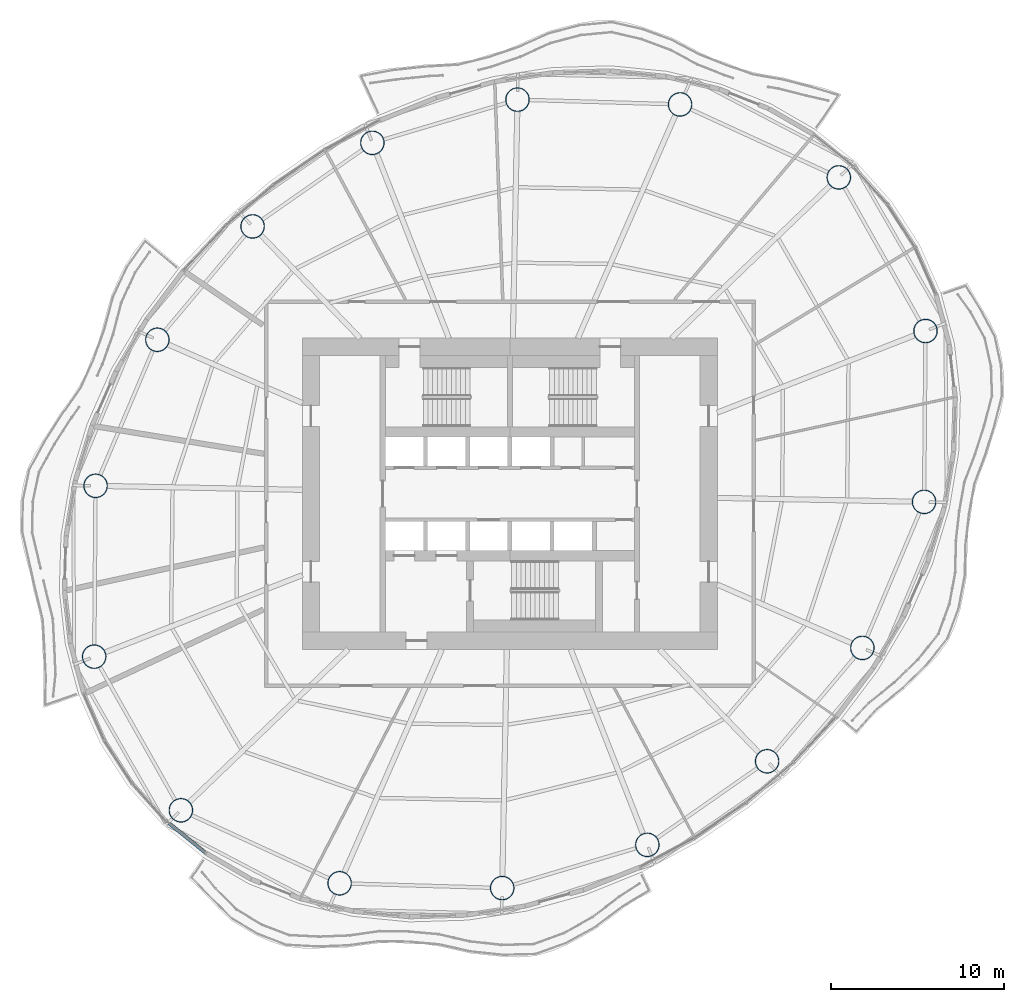
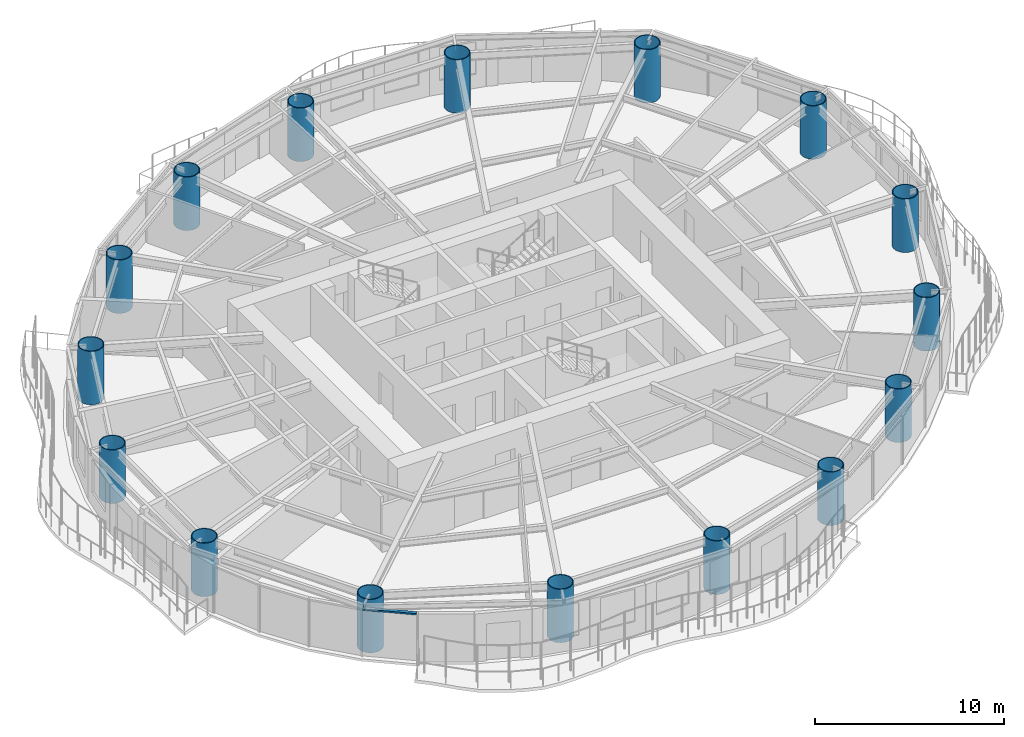
# One storey, part 1 of 15: 16 columns, 1 member, 1 element without a shape of its own.
"""IFC4 building model written with IfcOpenShell, lengths in metres."""

from ifc_helpers import new_model, si_unit, direction, frame, origin, origin_2d, place, context, subcontext, project, spatial, rectangle, hollow_circle, extrude, material, material_profile, profile_set, type_object, element, aggregate, save


model = new_model("IFC4")

# Units and contexts
model_context = context("Model", 3, precision=1e-05, world=origin(), true_north=direction((0.0, 1.0)))
body_context = subcontext(model_context, "Body", "Model", "MODEL_VIEW")
ifc_project = project(units=[si_unit("LENGTHUNIT", "METRE"), si_unit("AREAUNIT", "SQUARE_METRE"), si_unit("VOLUMEUNIT", "CUBIC_METRE"), si_unit("PLANEANGLEUNIT", "RADIAN"), si_unit("MASSUNIT", "GRAM", prefix="KILO")], contexts=[model_context])

# Site, building, storey
site_placement = place(None, origin())
site = spatial("IfcSite", under=ifc_project, at=site_placement, CompositionType="ELEMENT")
building_placement = place(site_placement, origin())
building = spatial("IfcBuilding", under=site, at=building_placement, Name="Vermilion Reach Broadcast Tower", CompositionType="ELEMENT")
storey_placement = place(building_placement, frame((0.0, 0.0, 183.0)))
storey = spatial("IfcBuildingStorey", under=building, at=storey_placement, Name="L44", CompositionType="ELEMENT", Elevation=183.0)

# Columns
ifc_material_1 = material(Name="Concrete C70 infill in steel S460NL tube", Category="concrete")
ifc_material_profile_1 = material_profile(ifc_material_1, hollow_circle(Radius=0.699951171875, WallThickness=0.050048828125, at=origin_2d()), Name="Concrete C70 infill in steel S460NL tube CFT 1400x50")
ifc_profile_set_1 = profile_set([ifc_material_profile_1], Name="Concrete C70 infill in steel S460NL tube")
column_type = type_object("IfcColumnType", Name="MC3 CFT 1400x50", PredefinedType="COLUMN", material=ifc_profile_set_1)
for number, where, z_axis, x_axis, name in (
    (1, (13.02587890625, 18.302734375, 0.0), (0.0, 0.0, 1.0), (1.0, 0.0, 0.0), "Mega-column MC3-01"),
    (2, (3.84521484375, 22.524169921875, 0.0), (0.0, 0.0, 1.0), (1.0, 0.0, 0.0), "Mega-column MC3-02"),
    (3, (-5.558349609375, 22.800048828125, 0.0), (0.0, 0.0, 1.0), (1.0, 0.0, 0.0), "Mega-column MC3-03"),
    (4, (-13.95166015625, 20.30078125, 0.0), (0.0, 0.0, 1.0), (1.0, 0.0, 0.0), "Mega-column MC3-04"),
    (5, (-20.879150390625, 15.46728515625, 0.0), (0.0, 0.0, 1.0), (1.0, 0.0, 0.0), "Mega-column MC3-05"),
    (6, (-26.38818359375, 8.91162109375, 0.0), (0.0, 0.0, 1.0), (1.0, 0.0, 0.0), "Mega-column MC3-06"),
    (7, (-29.95947265625, 0.464111328125, 0.0), (0.0, 0.0, 1.0), (1.0, 0.0, 0.0), "Mega-column MC3-07"),
    (8, (-30.04052734375, -9.41650390625, 0.0), (0.0, 0.0, 1.0), (1.0, 0.0, 0.0), "Mega-column MC3-08"),
    (9, (-25.02587890625, -18.302734375, 0.0), (0.0, 0.0, 1.0), (1.0, 0.0, 0.0), "Mega-column MC3-09"),
    (10, (-15.84521484375, -22.524169921875, 0.0), (0.0, 0.0, 1.0), (1.0, 0.0, 0.0), "Mega-column MC3-10"),
    (11, (-6.441650390625, -22.800048828125, 0.0), (0.0, 0.0, 1.0), (1.0, 0.0, 0.0), "Mega-column MC3-11"),
    (12, (1.95166015625, -20.30078125, 0.0), (0.0, 0.0, 1.0), (1.0, 0.0, 0.0), "Mega-column MC3-12"),
    (13, (8.879150390625, -15.46728515625, 0.0), (0.0, 0.0, 1.0), (1.0, 0.0, 0.0), "Mega-column MC3-13"),
    (14, (14.38818359375, -8.91162109375, 0.0), (0.0, 0.0, 1.0), (1.0, 0.0, 0.0), "Mega-column MC3-14"),
    (15, (17.95947265625, -0.464111328125, 0.0), (0.0, 0.0, 1.0), (1.0, 0.0, 0.0), "Mega-column MC3-15"),
    (16, (18.04052734375, 9.41650390625, 0.0), (0.0, 0.0, 1.0), (1.0, 0.0, 0.0), "Mega-column MC3-16"),
):
    element("IfcColumn", number, at=place(storey_placement, frame(where, z_axis=z_axis, x_axis=x_axis)), inside=storey, type_object=column_type, Name=name, PredefinedType="COLUMN", context=body_context, shape_type="SweptSolid", body=[
        extrude(hollow_circle(Radius=0.699951171875, WallThickness=0.050048828125, at=origin_2d()), origin(), (0.0, 0.0, 1.0), 3.449951171875),
    ])

# Curtain wall, member
ifc_material_2 = material(Name="Low-e laminated clear glass in aluminium frame", Category="aluminium")
curtain_wall_type = type_object("IfcCurtainWallType", Name="Slot curtain wall", PredefinedType="NOTDEFINED", material=ifc_material_2)
curtain_wall_placement = place(storey_placement, origin())
curtain_wall = element("IfcCurtainWall", 17, at=curtain_wall_placement, inside=storey, type_object=curtain_wall_type, Name="Slot curtain wall L44 25", PredefinedType="NOTDEFINED")
ifc_material_3 = material(Name="Anodised aluminium", Category="aluminium")
ifc_material_profile_2 = material_profile(ifc_material_3, rectangle(XDim=0.199951171875, YDim=0.10009765625, at=origin_2d()), Name="Slot transom 200 x 100")
ifc_profile_set_2 = profile_set([ifc_material_profile_2], Name="Anodised aluminium")
member_type = type_object("IfcMemberType", Name="Slot transom 200 x 100", PredefinedType="USERDEFINED", material=ifc_profile_set_2)
member_placement = place(storey_placement, frame((-25.853515625, -18.937744140625, 3.050048828125), z_axis=(0.778076504482, -0.628169525824, 0.0), x_axis=(0.628169525824, 0.778076504482, 0.0)))
member = element("IfcMember", 18, at=member_placement, type_object=member_type, Name="Slot transom L44 25.1", ObjectType="TRANSOM", PredefinedType="USERDEFINED", context=body_context, shape_type="SweptSolid", body=[
    extrude(rectangle(XDim=0.199951171875, YDim=0.10009765625, at=origin_2d()), origin(), (0.0, 0.0, 1.0), 2.882568359375),
])
aggregate(curtain_wall, [member])

save(model, "model.ifc")
